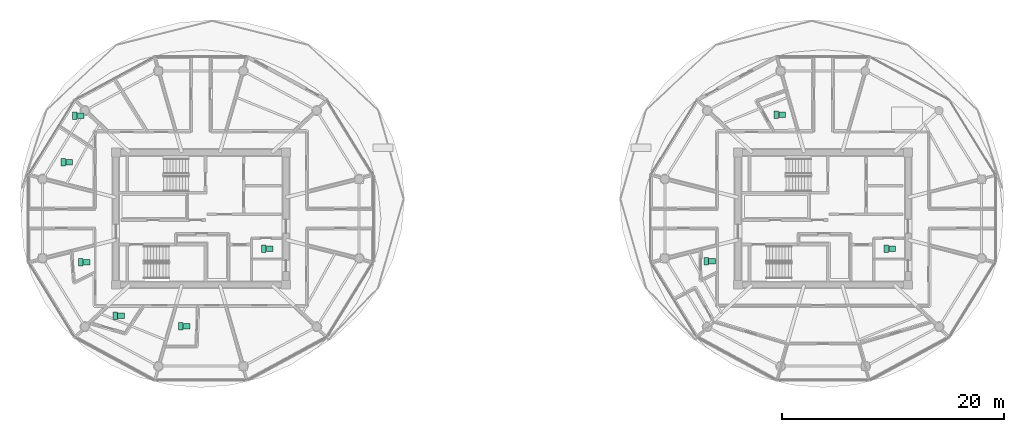
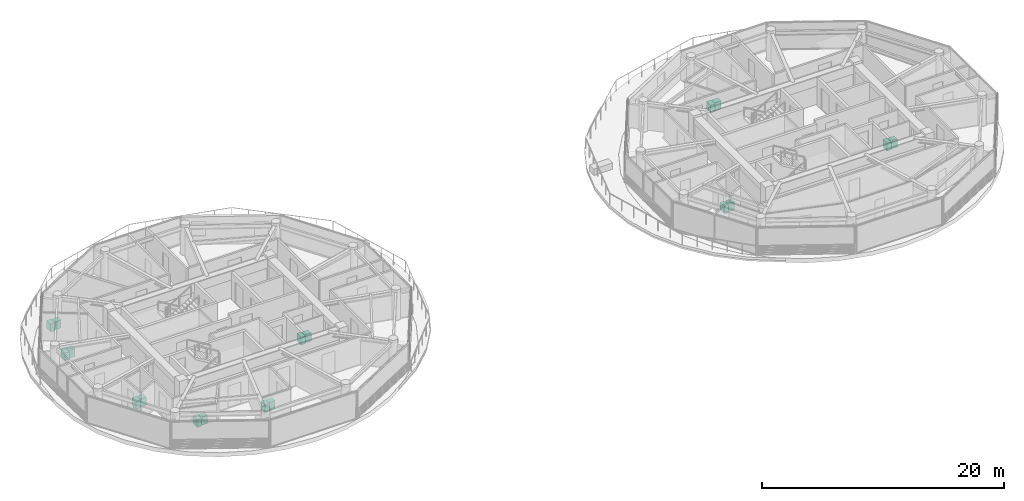
# One storey, part 27 of 28: 18 sanitary terminals.
"""IFC4 building model written with IfcOpenShell, lengths in metres."""

from ifc_helpers import new_model, si_unit, direction, frame, origin, origin_2d, place, context, subcontext, project, spatial, rectangle, extrude, source, transform, mapped, material, type_object, type_shapes, element, save


model = new_model("IFC4")

# Units and contexts
model_context = context("Model", 3, precision=1e-05, world=origin(), true_north=direction((0.0, 1.0)))
body_context = subcontext(model_context, "Body", "Model", "MODEL_VIEW")
ifc_project = project(units=[si_unit("LENGTHUNIT", "METRE"), si_unit("AREAUNIT", "SQUARE_METRE"), si_unit("VOLUMEUNIT", "CUBIC_METRE"), si_unit("PLANEANGLEUNIT", "RADIAN"), si_unit("MASSUNIT", "GRAM", prefix="KILO")], contexts=[model_context])

# Site, building, storey
site_placement = place(None, origin())
site = spatial("IfcSite", under=ifc_project, at=site_placement, CompositionType="ELEMENT")
building_placement = place(site_placement, origin())
building = spatial("IfcBuilding", under=site, at=building_placement, Name="Norrkilde Senior Care Towers", CompositionType="ELEMENT")
storey_placement = place(building_placement, frame((0.0, 0.0, 190.64990234375)))
storey = spatial("IfcBuildingStorey", under=building, at=storey_placement, Name="L59", CompositionType="ELEMENT", Elevation=190.64990234375)

# Sanitary terminals
ifc_material = material(Name="Porcelain Ceramic")
sanitary_terminal_type_1 = type_object("IfcSanitaryTerminalType", Name="Accessible Senior WC Suite", PredefinedType="TOILETPAN", material=ifc_material)
shared_shape_1 = source(origin(), body_context, "Body", "SweptSolid", [
    extrude(rectangle(XDim=0.419921875, YDim=0.679931640625, at=origin_2d()), origin(), (0.0, 0.0, 1.0), 0.780029296875),
])
type_shapes(sanitary_terminal_type_1, [shared_shape_1])
for number, where, z_axis, x_axis, name in (
    (1, (-22.324951171875, -2.715087890625, 0.0), (0.0, 0.0, 1.0), (1.0, 0.0, 0.0), "L59 Accessible WC Pan 0142"),
    (2, (-39.333984375, 9.268798828125, 0.0), (0.0, 0.0, 1.0), (1.0, 0.0, 0.0), "L59 Accessible WC Pan 0143"),
    (3, (-40.38671875, 5.09326171875, 0.0), (0.0, 0.0, 1.0), (1.0, 0.0, 0.0), "L59 Accessible WC Pan 0144"),
    (4, (-38.79443359375, -3.923828125, 0.0), (0.0, 0.0, 1.0), (1.0, 0.0, 0.0), "L59 Accessible WC Pan 0145"),
    (5, (-35.711181640625, -8.721435546875, 0.0), (0.0, 0.0, 1.0), (1.0, 0.0, 0.0), "L59 Accessible WC Pan 0146"),
    (6, (-29.794921875, -9.67578125, 0.0), (0.0, 0.0, 1.0), (1.0, 0.0, 0.0), "L59 Accessible WC Pan 0147"),
    (7, (33.675048828125, -2.715087890625, 0.0), (0.0, 0.0, 1.0), (1.0, 0.0, 0.0), "L59 Accessible WC Pan 0148"),
    (8, (23.77978515625, 9.33984375, 0.0), (0.0, 0.0, 1.0), (1.0, 0.0, 0.0), "L59 Accessible WC Pan 0149"),
    (9, (17.47265625, -3.848388671875, 0.0), (0.0, 0.0, 1.0), (1.0, 0.0, 0.0), "L59 Accessible WC Pan 0150"),
):
    element("IfcSanitaryTerminal", number, at=place(storey_placement, frame(where, z_axis=z_axis, x_axis=x_axis)), inside=storey, type_object=sanitary_terminal_type_1, Name=name, PredefinedType="TOILETPAN", context=body_context, shape_type="MappedRepresentation", body=[
        mapped(shared_shape_1, transform((0.0, 0.0, 0.0), x_axis=(1.0, 0.0, 0.0), y_axis=(0.0, 1.0, 0.0), z_axis=(0.0, 0.0, 1.0), scale=1.0)),
    ])
sanitary_terminal_type_2 = type_object("IfcSanitaryTerminalType", Name="Thermostatic Care Washbasin", PredefinedType="WASHHANDBASIN", material=ifc_material)
shared_shape_2 = source(origin(), body_context, "Body", "SweptSolid", [
    extrude(rectangle(XDim=0.60009765625, YDim=0.5, at=origin_2d()), origin(), (0.0, 0.0, 1.0), 0.820068359375),
])
type_shapes(sanitary_terminal_type_2, [shared_shape_2])
for number, where, z_axis, x_axis, name in (
    (10, (-21.794921875, -2.715087890625, 0.0), (0.0, 0.0, 1.0), (1.0, 0.0, 0.0), "L59 Accessible Washbasin 0142"),
    (11, (-38.803955078125, 9.268798828125, 0.0), (0.0, 0.0, 1.0), (1.0, 0.0, 0.0), "L59 Accessible Washbasin 0143"),
    (12, (-39.856689453125, 5.09326171875, 0.0), (0.0, 0.0, 1.0), (1.0, 0.0, 0.0), "L59 Accessible Washbasin 0144"),
    (13, (-38.264404296875, -3.923828125, 0.0), (0.0, 0.0, 1.0), (1.0, 0.0, 0.0), "L59 Accessible Washbasin 0145"),
    (14, (-35.181396484375, -8.721435546875, 0.0), (0.0, 0.0, 1.0), (1.0, 0.0, 0.0), "L59 Accessible Washbasin 0146"),
    (15, (-29.264892578125, -9.67578125, 0.0), (0.0, 0.0, 1.0), (1.0, 0.0, 0.0), "L59 Accessible Washbasin 0147"),
    (16, (34.205078125, -2.715087890625, 0.0), (0.0, 0.0, 1.0), (1.0, 0.0, 0.0), "L59 Accessible Washbasin 0148"),
    (17, (24.309814453125, 9.33984375, 0.0), (0.0, 0.0, 1.0), (1.0, 0.0, 0.0), "L59 Accessible Washbasin 0149"),
    (18, (18.002685546875, -3.848388671875, 0.0), (0.0, 0.0, 1.0), (1.0, 0.0, 0.0), "L59 Accessible Washbasin 0150"),
):
    element("IfcSanitaryTerminal", number, at=place(storey_placement, frame(where, z_axis=z_axis, x_axis=x_axis)), inside=storey, type_object=sanitary_terminal_type_2, Name=name, PredefinedType="WASHHANDBASIN", context=body_context, shape_type="MappedRepresentation", body=[
        mapped(shared_shape_2, transform((0.0, 0.0, 0.0), x_axis=(1.0, 0.0, 0.0), y_axis=(0.0, 1.0, 0.0), z_axis=(0.0, 0.0, 1.0), scale=1.0)),
    ])

save(model, "model.ifc")
